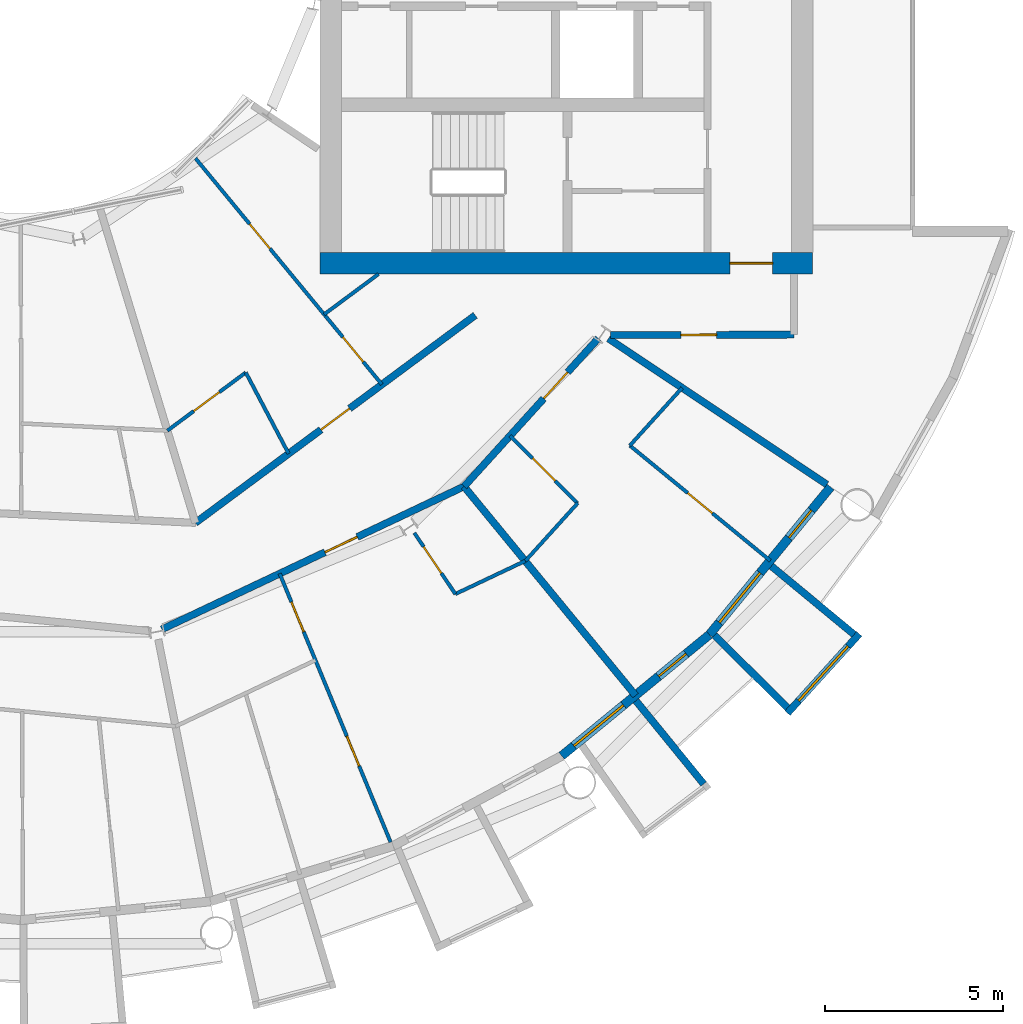
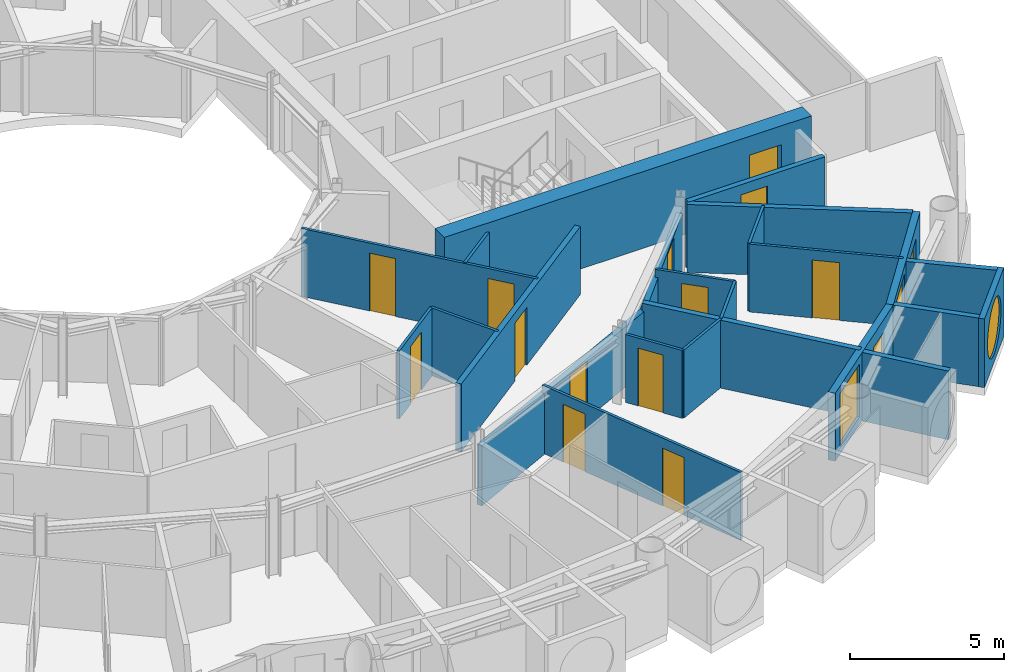
# One storey, part 17 of 27: 24 walls, 15 doors, 3 windows, 18 openings.
"""IFC4 building model written with IfcOpenShell, lengths in metres."""

from ifc_helpers import new_model, si_unit, direction, frame, frame_2d, origin, place, context, subcontext, project, spatial, rectangle, circle, extrude, material, layer, layer_set, type_object, element, fill, save


model = new_model("IFC4")

# Units and contexts
model_context = context("Model", 3, precision=1e-05, world=origin(), true_north=direction((0.0, 1.0)))
body_context = subcontext(model_context, "Body", "Model", "MODEL_VIEW")
ifc_project = project(units=[si_unit("LENGTHUNIT", "METRE"), si_unit("AREAUNIT", "SQUARE_METRE"), si_unit("VOLUMEUNIT", "CUBIC_METRE"), si_unit("PLANEANGLEUNIT", "RADIAN"), si_unit("MASSUNIT", "GRAM", prefix="KILO")], contexts=[model_context])

# Site, building, storey
site_placement = place(None, origin())
site = spatial("IfcSite", under=ifc_project, at=site_placement, CompositionType="ELEMENT")
building_placement = place(site_placement, origin())
building = spatial("IfcBuilding", under=site, at=building_placement, Name="Maasbend Ring Residences", CompositionType="ELEMENT")
storey_placement = place(building_placement, frame((0.0, 0.0, 111.64990234375)))
storey = spatial("IfcBuildingStorey", under=building, at=storey_placement, Name="L31", CompositionType="ELEMENT", Elevation=111.64990234375)

# Wall, opening, door
ifc_material_1 = material(Name="Concrete C60/75", Category="concrete")
ifc_layer_1 = layer(ifc_material_1, 0.60009765625)
ifc_layer_set_1 = layer_set([ifc_layer_1], Name="Concrete C60/75")
wall_type_1 = type_object("IfcWallType", Name="CORE WALL 600 C60/75", PredefinedType="SHEAR", material=ifc_layer_set_1)
wall_1_placement = place(storey_placement, frame((8.39990234375, -8.89990234375, 0.0), z_axis=(0.0, 0.0, 1.0), x_axis=(1.0, 0.0, 0.0)))
wall_1 = element("IfcWall", 1, at=wall_1_placement, inside=storey, type_object=wall_type_1, Name="L31 core E wall PS", PredefinedType="SHEAR", context=body_context, shape_type="SweptSolid", body=[
    extrude(rectangle(XDim=13.800048828125, YDim=0.60009765625, at=frame_2d((6.89990234375, 0.0))), origin(), (0.0, 0.0, 1.0), 3.050048828125),
])
opening_1_placement = place(wall_1_placement, frame((11.47509765625, 0.0, 0.0)))
opening_1 = element("IfcOpeningElement", 2, at=opening_1_placement, cuts=wall_1, Name="Opening D-E3115", PredefinedType="OPENING", context=body_context, shape_type="SweptSolid", body=[
    extrude(rectangle(XDim=1.199951171875, YDim=2.300048828125, at=frame_2d((0.60009765625, 1.14990234375))), frame((0.0, 0.31005859375, 0.0), z_axis=(0.0, -1.0, 0.0), x_axis=(1.0, 0.0, 0.0)), (0.0, 0.0, 1.0), 0.6201171875),
])
ifc_material_2 = material(Name="Steel, powder coated", Category="steel")
door_type_1 = type_object("IfcDoorType", Name="CORRIDOR DOOR 1200 X 2300 FD30S", OperationType="NOTDEFINED", PredefinedType="DOOR", material=ifc_material_2)
door_1_placement = place(opening_1_placement, origin())
door_1 = element("IfcDoor", 3, at=door_1_placement, inside=storey, type_object=door_type_1, Name="Corridor door L31", OperationType="SINGLE_SWING_LEFT", OverallHeight=2.300048828125, OverallWidth=1.199951171875, PredefinedType="DOOR", context=body_context, shape_type="SweptSolid", body=[
    extrude(rectangle(XDim=1.199951171875, YDim=2.300048828125, at=frame_2d((0.60009765625, 1.14990234375))), frame((0.0, 0.02490234375, 0.0), z_axis=(0.0, -1.0, 0.0), x_axis=(1.0, 0.0, 0.0)), (0.0, 0.0, 1.0), 0.050048828125),
])
fill(opening_1, door_1)

ifc_material_3 = material(Name="Concrete C30/37", Category="concrete")
ifc_layer_2 = layer(ifc_material_3, 0.199951171875)
ifc_layer_set_2 = layer_set([ifc_layer_2], Name="Concrete C30/37")
wall_type_2 = type_object("IfcWallType", Name="CORRIDOR WALL 200 CONCRETE", PredefinedType="PARTITIONING", material=ifc_layer_set_2)
wall_2_placement = place(storey_placement, frame((12.43408203125, -15.15087890625, 0.0), z_axis=(0.0, 0.0, 1.0), x_axis=(0.671481997275, 0.741020868354, 0.0)))
wall_2 = element("IfcWall", 4, at=wall_2_placement, inside=storey, type_object=wall_type_2, Name="U-L31-w011", PredefinedType="PARTITIONING", context=body_context, shape_type="SweptSolid", body=[
    extrude(rectangle(XDim=5.59619140625, YDim=0.199951171875, at=frame_2d((2.798095703125, 0.0))), origin(), (0.0, 0.0, 1.0), 2.39013671875),
])
opening_2_placement = place(wall_2_placement, frame((3.319091796875, 0.0, 0.0)))
opening_2 = element("IfcOpeningElement", 5, at=opening_2_placement, cuts=wall_2, Name="Opening D-3151", PredefinedType="OPENING", context=body_context, shape_type="SweptSolid", body=[
    extrude(rectangle(XDim=1.0, YDim=2.300048828125, at=frame_2d((0.5, 1.14990234375))), frame((0.0, 0.10986328125, 0.0), z_axis=(0.0, -1.0, 0.0), x_axis=(1.0, 0.0, 0.0)), (0.0, 0.0, 1.0), 0.219970703125),
])
ifc_material_4 = material(Name="Timber, fire-rated, painted", Category="wood")
door_type_2 = type_object("IfcDoorType", Name="FLAT ENTRANCE DOOR 1000 X 2300 FIRE-RATED", OperationType="NOTDEFINED", PredefinedType="DOOR", material=ifc_material_4)
door_2_placement = place(opening_2_placement, origin())
door_2 = element("IfcDoor", 6, at=door_2_placement, inside=storey, type_object=door_type_2, Name="D-3151", OperationType="SINGLE_SWING_RIGHT", OverallHeight=2.300048828125, OverallWidth=1.0, PredefinedType="DOOR", context=body_context, shape_type="SweptSolid", body=[
    extrude(rectangle(XDim=1.0, YDim=2.300048828125, at=frame_2d((0.5, 1.14990234375))), frame((0.0, 0.02490234375, 0.0), z_axis=(0.0, -1.0, 0.0), x_axis=(1.0, 0.0, 0.0)), (0.0, 0.0, 1.0), 0.050048828125),
])
fill(opening_2, door_2)

wall_3_placement = place(storey_placement, frame((3.967041015625, -19.155029296875, 0.0), z_axis=(0.0, 0.0, 1.0), x_axis=(0.904003983145, 0.427524032609, 0.0)))
wall_3 = element("IfcWall", 7, at=wall_3_placement, inside=storey, type_object=wall_type_2, Name="U-L31-w012", PredefinedType="PARTITIONING", context=body_context, shape_type="SweptSolid", body=[
    extrude(rectangle(XDim=9.370361328125, YDim=0.199951171875, at=frame_2d((4.68505859375, 0.0))), origin(), (0.0, 0.0, 1.0), 2.39013671875),
])
opening_3_placement = place(wall_3_placement, frame((5.055908203125, 0.0, 0.0)))
opening_3 = element("IfcOpeningElement", 8, at=opening_3_placement, cuts=wall_3, Name="Opening D-3146", PredefinedType="OPENING", context=body_context, shape_type="SweptSolid", body=[
    extrude(rectangle(XDim=1.0, YDim=2.300048828125, at=frame_2d((0.5, 1.14990234375))), frame((0.0, 0.10986328125, 0.0), z_axis=(0.0, -1.0, 0.0), x_axis=(1.0, 0.0, 0.0)), (0.0, 0.0, 1.0), 0.219970703125),
])
door_3_placement = place(opening_3_placement, origin())
door_3 = element("IfcDoor", 9, at=door_3_placement, inside=storey, type_object=door_type_2, Name="D-3146", OperationType="SINGLE_SWING_RIGHT", OverallHeight=2.300048828125, OverallWidth=1.0, PredefinedType="DOOR", context=body_context, shape_type="SweptSolid", body=[
    extrude(rectangle(XDim=1.0, YDim=2.300048828125, at=frame_2d((0.5, 1.14990234375))), frame((0.0, 0.02490234375, 0.0), z_axis=(0.0, -1.0, 0.0), x_axis=(1.0, 0.0, 0.0)), (0.0, 0.0, 1.0), 0.050048828125),
])
fill(opening_3, door_3)

wall_4_placement = place(storey_placement, frame((4.906005859375, -16.172119140625, 0.0), z_axis=(0.0, 0.0, 1.0), x_axis=(0.803191461888, 0.595720971219, 0.0)))
wall_4 = element("IfcWall", 10, at=wall_4_placement, inside=storey, type_object=wall_type_2, Name="U-L31-w017", PredefinedType="PARTITIONING", context=body_context, shape_type="SweptSolid", body=[
    extrude(rectangle(XDim=9.760009765625, YDim=0.199951171875, at=frame_2d((4.8798828125, 0.0))), origin(), (0.0, 0.0, 1.0), 2.7001953125),
])
opening_4_placement = place(wall_4_placement, frame((4.3798828125, 0.0, 0.0)))
opening_4 = element("IfcOpeningElement", 11, at=opening_4_placement, cuts=wall_4, Name="Opening D-3163", PredefinedType="OPENING", context=body_context, shape_type="SweptSolid", body=[
    extrude(rectangle(XDim=1.0, YDim=2.300048828125, at=frame_2d((0.5, 1.14990234375))), frame((0.0, 0.10986328125, 0.0), z_axis=(0.0, -1.0, 0.0), x_axis=(1.0, 0.0, 0.0)), (0.0, 0.0, 1.0), 0.219970703125),
])
door_4_placement = place(opening_4_placement, origin())
door_4 = element("IfcDoor", 12, at=door_4_placement, inside=storey, type_object=door_type_2, Name="D-3163", OperationType="SINGLE_SWING_LEFT", OverallHeight=2.300048828125, OverallWidth=1.0, PredefinedType="DOOR", context=body_context, shape_type="SweptSolid", body=[
    extrude(rectangle(XDim=1.0, YDim=2.300048828125, at=frame_2d((0.5, 1.14990234375))), frame((0.0, 0.02490234375, 0.0), z_axis=(0.0, -1.0, 0.0), x_axis=(1.0, 0.0, 0.0)), (0.0, 0.0, 1.0), 0.050048828125),
])
fill(opening_4, door_4)

wall_5_placement = place(storey_placement, frame((16.541015625, -10.912109375, 0.0), z_axis=(0.0, 0.0, 1.0), x_axis=(0.999997173357, 0.002377662213, 0.0)))
wall_5 = element("IfcWall", 13, at=wall_5_placement, inside=storey, type_object=wall_type_2, Name="U-L31-w025", PredefinedType="PARTITIONING", context=body_context, shape_type="SweptSolid", body=[
    extrude(rectangle(XDim=5.134033203125, YDim=0.199951171875, at=frame_2d((2.56689453125, 0.0))), origin(), (0.0, 0.0, 1.0), 2.7001953125),
])
opening_5_placement = place(wall_5_placement, frame((1.962890625, 0.0, 0.0)))
opening_5 = element("IfcOpeningElement", 14, at=opening_5_placement, cuts=wall_5, Name="Opening D-3169", PredefinedType="OPENING", context=body_context, shape_type="SweptSolid", body=[
    extrude(rectangle(XDim=1.0, YDim=2.300048828125, at=frame_2d((0.5, 1.14990234375))), frame((0.0, 0.10986328125, 0.0), z_axis=(0.0, -1.0, 0.0), x_axis=(1.0, 0.0, 0.0)), (0.0, 0.0, 1.0), 0.219970703125),
])
ifc_material_5 = material(Name="Timber, painted", Category="wood")
door_type_3 = type_object("IfcDoorType", Name="ROOM DOOR 1000 X 2300", OperationType="NOTDEFINED", PredefinedType="DOOR", material=ifc_material_5)
door_5_placement = place(opening_5_placement, origin())
door_5 = element("IfcDoor", 15, at=door_5_placement, inside=storey, type_object=door_type_3, Name="D-3169", OperationType="SINGLE_SWING_LEFT", OverallHeight=2.300048828125, OverallWidth=1.0, PredefinedType="DOOR", context=body_context, shape_type="SweptSolid", body=[
    extrude(rectangle(XDim=1.0, YDim=2.300048828125, at=frame_2d((0.5, 1.14990234375))), frame((0.0, 0.02490234375, 0.0), z_axis=(0.0, -1.0, 0.0), x_axis=(1.0, 0.0, 0.0)), (0.0, 0.0, 1.0), 0.050048828125),
])
fill(opening_5, door_5)

# Wall
ifc_material_6 = material(Name="Pale anodised aluminium panel", Category="aluminium")
ifc_layer_3 = layer(ifc_material_6, 0.199951171875)
ifc_layer_set_3 = layer_set([ifc_layer_3], Name="EW-BOX")
wall_type_3 = type_object("IfcWallType", Name="EW-BOX", PredefinedType="SOLIDWALL", material=ifc_layer_set_3)
wall_6_placement = place(storey_placement, frame((17.24609375, -21.155029296875, -0.02978515625), z_axis=(0.0, 0.0, 1.0), x_axis=(0.631741648902, -0.775179004516, 0.0)))
element("IfcWall", 16, at=wall_6_placement, inside=storey, type_object=wall_type_3, Name="Box side wall S17 right", PredefinedType="SOLIDWALL", context=body_context, shape_type="SweptSolid", body=[
    extrude(rectangle(XDim=3.005859375, YDim=0.199951171875, at=frame_2d((1.5029296875, 0.0))), origin(), (0.0, 0.0, 1.0), 2.72998046875),
])

# Wall, opening, window
wall_7_placement = place(storey_placement, frame((21.492919921875, -21.5, -0.02978515625), z_axis=(0.0, 0.0, 1.0), x_axis=(0.671506829416, 0.740998365753, 0.0)))
wall_7 = element("IfcWall", 17, at=wall_7_placement, inside=storey, type_object=wall_type_3, Name="Box front S19", PredefinedType="SOLIDWALL", context=body_context, shape_type="SweptSolid", body=[
    extrude(rectangle(XDim=2.9931640625, YDim=0.199951171875, at=frame_2d((1.49658203125, 0.0))), origin(), (0.0, 0.0, 1.0), 2.72998046875),
])
opening_6_placement = place(wall_7_placement, frame((0.45654296875, 0.0, 0.330078125)))
opening_6 = element("IfcOpeningElement", 18, at=opening_6_placement, cuts=wall_7, Name="Opening W-RD", PredefinedType="OPENING", context=body_context, shape_type="SweptSolid", body=[
    extrude(circle(Radius=1.0400390625, at=frame_2d((1.0400390625, 1.0400390625))), frame((0.0, 0.10986328125, 0.0), z_axis=(0.0, -1.0, 0.0), x_axis=(1.0, 0.0, 0.0)), (0.0, 0.0, 1.0), 0.219970703125),
])
ifc_material_7 = material(Name="Aluminium and clear glass", Category="aluminium")
window_type_1 = type_object("IfcWindowType", Name="W-RD", PartitioningType="SINGLE_PANEL", PredefinedType="WINDOW", material=ifc_material_7)
window_1_placement = place(opening_6_placement, origin())
window_1 = element("IfcWindow", 19, at=window_1_placement, inside=storey, type_object=window_type_1, Name="Round window S19", OverallHeight=2.080078125, OverallWidth=2.080078125, PartitioningType="SINGLE_PANEL", PredefinedType="WINDOW", context=body_context, shape_type="SweptSolid", body=[
    extrude(circle(Radius=1.0400390625, at=frame_2d((1.0400390625, 1.0400390625))), frame((0.0, 0.030029296875, 0.0), z_axis=(0.0, -1.0, 0.0), x_axis=(1.0, 0.0, 0.0)), (0.0, 0.0, 1.0), 0.06005859375),
])
fill(opening_6, window_1)

# Walls
wall_8_placement = place(storey_placement, frame((19.449951171875, -19.322998046875, -0.02978515625), z_axis=(0.0, 0.0, 1.0), x_axis=(0.709727076896, -0.704476739375, 0.0)))
element("IfcWall", 20, at=wall_8_placement, inside=storey, type_object=wall_type_3, Name="Box side wall S19 left", PredefinedType="SOLIDWALL", context=body_context, shape_type="SweptSolid", body=[
    extrude(rectangle(XDim=2.883056640625, YDim=0.199951171875, at=frame_2d((1.44140625, 0.0))), origin(), (0.0, 0.0, 1.0), 2.72998046875),
])
wall_9_placement = place(storey_placement, frame((21.041015625, -17.384033203125, -0.02978515625), z_axis=(0.0, 0.0, 1.0), x_axis=(0.770784861449, -0.63709551667, 0.0)))
element("IfcWall", 21, at=wall_9_placement, inside=storey, type_object=wall_type_3, Name="Box side wall S19 right", PredefinedType="SOLIDWALL", context=body_context, shape_type="SweptSolid", body=[
    extrude(rectangle(XDim=3.005859375, YDim=0.199951171875, at=frame_2d((1.5029296875, 0.0))), origin(), (0.0, 0.0, 1.0), 2.72998046875),
])

# Wall, openings, door, window
ifc_material_8 = material(Name="Aluminium clad insulated panel", Category="aluminium")
ifc_layer_4 = layer(ifc_material_8, 0.25)
ifc_layer_set_4 = layer_set([ifc_layer_4], Name="EW-GL")
wall_type_4 = type_object("IfcWallType", Name="EW-GL", PredefinedType="SOLIDWALL", material=ifc_layer_set_4)
wall_10_placement = place(storey_placement, frame((15.1669921875, -22.698974609375, 0.0), z_axis=(0.0, 0.0, 1.0), x_axis=(0.773019449054, 0.634382322723, 0.0)))
wall_10 = element("IfcWall", 22, at=wall_10_placement, inside=storey, type_object=wall_type_4, Name="External wall S09", PredefinedType="SOLIDWALL", context=body_context, shape_type="SweptSolid", body=[
    extrude(rectangle(XDim=5.351806640625, YDim=0.25, at=frame_2d((2.67578125, 0.0))), origin(), (0.0, 0.0, 1.0), 2.7001953125),
])
opening_7_placement = place(wall_10_placement, frame((0.441162109375, 0.0, 0.300048828125)))
opening_7 = element("IfcOpeningElement", 23, at=opening_7_placement, cuts=wall_10, Name="Opening W-BX", PredefinedType="OPENING", context=body_context, shape_type="SweptSolid", body=[
    extrude(rectangle(XDim=1.800048828125, YDim=2.10009765625, at=frame_2d((0.89990234375, 1.050048828125))), frame((0.0, 0.135009765625, 0.0), z_axis=(0.0, -1.0, 0.0), x_axis=(1.0, 0.0, 0.0)), (0.0, 0.0, 1.0), 0.27001953125),
])
opening_8_placement = place(wall_10_placement, frame((3.510498046875, 0.0, 0.0)))
opening_8 = element("IfcOpeningElement", 24, at=opening_8_placement, cuts=wall_10, Name="Opening D-LG", PredefinedType="OPENING", context=body_context, shape_type="SweptSolid", body=[
    extrude(rectangle(XDim=1.0, YDim=2.199951171875, at=frame_2d((0.5, 1.10009765625))), frame((0.0, 0.135009765625, 0.0), z_axis=(0.0, -1.0, 0.0), x_axis=(1.0, 0.0, 0.0)), (0.0, 0.0, 1.0), 0.27001953125),
])
ifc_material_9 = material(Name="Aluminium and clear glass", Category="aluminium")
door_type_4 = type_object("IfcDoorType", Name="D-LG", OperationType="SINGLE_SWING_LEFT", PredefinedType="DOOR", material=ifc_material_9)
door_6_placement = place(opening_8_placement, origin())
door_6 = element("IfcDoor", 25, at=door_6_placement, inside=storey, type_object=door_type_4, Name="Loggia door S18", OperationType="SINGLE_SWING_LEFT", OverallHeight=2.199951171875, OverallWidth=1.0, PredefinedType="DOOR", context=body_context, shape_type="SweptSolid", body=[
    extrude(rectangle(XDim=1.0, YDim=2.199951171875, at=frame_2d((0.5, 1.10009765625))), frame((0.0, 0.02490234375, 0.0), z_axis=(0.0, -1.0, 0.0), x_axis=(1.0, 0.0, 0.0)), (0.0, 0.0, 1.0), 0.050048828125),
])
fill(opening_8, door_6)
ifc_material_10 = material(Name="Aluminium and clear glass", Category="aluminium")
window_type_2 = type_object("IfcWindowType", Name="W-BX", PartitioningType="DOUBLE_PANEL_VERTICAL", PredefinedType="WINDOW", material=ifc_material_10)
window_2_placement = place(opening_7_placement, origin())
window_2 = element("IfcWindow", 26, at=window_2_placement, inside=storey, type_object=window_type_2, Name="Window S17 room to box", OverallHeight=2.10009765625, OverallWidth=1.800048828125, PartitioningType="SINGLE_PANEL", PredefinedType="WINDOW", context=body_context, shape_type="SweptSolid", body=[
    extrude(rectangle(XDim=1.800048828125, YDim=2.10009765625, at=frame_2d((0.89990234375, 1.050048828125))), frame((0.0, 0.030029296875, 0.0), z_axis=(0.0, -1.0, 0.0), x_axis=(1.0, 0.0, 0.0)), (0.0, 0.0, 1.0), 0.06005859375),
])
fill(opening_7, window_2)

wall_11_placement = place(storey_placement, frame((19.303955078125, -19.303955078125, 0.0), z_axis=(0.0, 0.0, 1.0), x_axis=(0.634382322723, 0.773019449054, 0.0)))
wall_11 = element("IfcWall", 27, at=wall_11_placement, inside=storey, type_object=wall_type_4, Name="External wall S10", PredefinedType="SOLIDWALL", context=body_context, shape_type="SweptSolid", body=[
    extrude(rectangle(XDim=5.351806640625, YDim=0.25, at=frame_2d((2.67578125, 0.0))), origin(), (0.0, 0.0, 1.0), 2.7001953125),
])
opening_9_placement = place(wall_11_placement, frame((0.441162109375, 0.0, 0.300048828125)))
opening_9 = element("IfcOpeningElement", 28, at=opening_9_placement, cuts=wall_11, Name="Opening W-BX", PredefinedType="OPENING", context=body_context, shape_type="SweptSolid", body=[
    extrude(rectangle(XDim=1.800048828125, YDim=2.10009765625, at=frame_2d((0.89990234375, 1.050048828125))), frame((0.0, 0.135009765625, 0.0), z_axis=(0.0, -1.0, 0.0), x_axis=(1.0, 0.0, 0.0)), (0.0, 0.0, 1.0), 0.27001953125),
])
opening_10_placement = place(wall_11_placement, frame((3.510498046875, 0.0, 0.0)))
opening_10 = element("IfcOpeningElement", 29, at=opening_10_placement, cuts=wall_11, Name="Opening D-LG", PredefinedType="OPENING", context=body_context, shape_type="SweptSolid", body=[
    extrude(rectangle(XDim=1.0, YDim=2.199951171875, at=frame_2d((0.5, 1.10009765625))), frame((0.0, 0.135009765625, 0.0), z_axis=(0.0, -1.0, 0.0), x_axis=(1.0, 0.0, 0.0)), (0.0, 0.0, 1.0), 0.27001953125),
])
door_7_placement = place(opening_10_placement, origin())
door_7 = element("IfcDoor", 30, at=door_7_placement, inside=storey, type_object=door_type_4, Name="Loggia door S20", OperationType="SINGLE_SWING_LEFT", OverallHeight=2.199951171875, OverallWidth=1.0, PredefinedType="DOOR", context=body_context, shape_type="SweptSolid", body=[
    extrude(rectangle(XDim=1.0, YDim=2.199951171875, at=frame_2d((0.5, 1.10009765625))), frame((0.0, 0.02490234375, 0.0), z_axis=(0.0, -1.0, 0.0), x_axis=(1.0, 0.0, 0.0)), (0.0, 0.0, 1.0), 0.050048828125),
])
fill(opening_10, door_7)
window_3_placement = place(opening_9_placement, origin())
window_3 = element("IfcWindow", 31, at=window_3_placement, inside=storey, type_object=window_type_2, Name="Window S19 room to box", OverallHeight=2.10009765625, OverallWidth=1.800048828125, PartitioningType="SINGLE_PANEL", PredefinedType="WINDOW", context=body_context, shape_type="SweptSolid", body=[
    extrude(rectangle(XDim=1.800048828125, YDim=2.10009765625, at=frame_2d((0.89990234375, 1.050048828125))), frame((0.0, 0.030029296875, 0.0), z_axis=(0.0, -1.0, 0.0), x_axis=(1.0, 0.0, 0.0)), (0.0, 0.0, 1.0), 0.06005859375),
])
fill(opening_9, window_3)

# Walls
ifc_material_11 = material(Name="Gypsum board on steel studs", Category="steel")
ifc_layer_5 = layer(ifc_material_11, 0.10009765625)
ifc_layer_set_5 = layer_set([ifc_layer_5], Name="PARTITION 100 GYPSUM")
wall_type_5 = type_object("IfcWallType", Name="PARTITION 100 GYPSUM", PredefinedType="PARTITIONING", material=ifc_layer_set_5)
wall_12_placement = place(storey_placement, frame((14.153076171875, -17.23388671875, 0.0), z_axis=(0.0, 0.0, 1.0), x_axis=(0.671144831591, 0.741326254107, 0.0)))
element("IfcWall", 32, at=wall_12_placement, inside=storey, type_object=wall_type_5, Name="U-L31-w001", PredefinedType="PARTITIONING", context=body_context, shape_type="SweptSolid", body=[
    extrude(rectangle(XDim=2.18115234375, YDim=0.10009765625, at=frame_2d((1.090576171875, 0.0))), origin(), (0.0, 0.0, 1.0), 2.7001953125),
])
wall_13_placement = place(storey_placement, frame((17.076904296875, -14.006103515625, 0.0), z_axis=(0.0, 0.0, 1.0), x_axis=(0.671396556615, 0.741098282123, 0.0)))
element("IfcWall", 33, at=wall_13_placement, inside=storey, type_object=wall_type_5, Name="U-L31-w002", PredefinedType="PARTITIONING", context=body_context, shape_type="SweptSolid", body=[
    extrude(rectangle(XDim=2.18212890625, YDim=0.10009765625, at=frame_2d((1.091064453125, 0.0))), origin(), (0.0, 0.0, 1.0), 2.7001953125),
])
wall_14_placement = place(storey_placement, frame((12.18798828125, -18.1650390625, 0.0), z_axis=(0.0, 0.0, 1.0), x_axis=(0.903905215872, 0.427732814639, 0.0)))
element("IfcWall", 34, at=wall_14_placement, inside=storey, type_object=wall_type_5, Name="U-L31-w006", PredefinedType="PARTITIONING", context=body_context, shape_type="SweptSolid", body=[
    extrude(rectangle(XDim=2.167236328125, YDim=0.10009765625, at=frame_2d((1.08349609375, 0.0))), origin(), (0.0, 0.0, 1.0), 2.7001953125),
])

# Wall, opening, door
wall_15_placement = place(storey_placement, frame((4.1220703125, -13.589111328125, 0.0), z_axis=(0.0, 0.0, 1.0), x_axis=(0.803128348509, 0.595806055542, 0.0)))
wall_15 = element("IfcWall", 35, at=wall_15_placement, inside=storey, type_object=wall_type_5, Name="U-L31-w022", PredefinedType="PARTITIONING", context=body_context, shape_type="SweptSolid", body=[
    extrude(rectangle(XDim=2.734375, YDim=0.10009765625, at=frame_2d((1.3671875, 0.0))), origin(), (0.0, 0.0, 1.0), 2.7001953125),
])
opening_11_placement = place(wall_15_placement, frame((0.9169921875, 0.0, 0.0)))
opening_11 = element("IfcOpeningElement", 36, at=opening_11_placement, cuts=wall_15, Name="Opening D-3164", PredefinedType="OPENING", context=body_context, shape_type="SweptSolid", body=[
    extrude(rectangle(XDim=0.89990234375, YDim=2.300048828125, at=frame_2d((0.449951171875, 1.14990234375))), frame((0.0, 0.06005859375, 0.0), z_axis=(0.0, -1.0, 0.0), x_axis=(1.0, 0.0, 0.0)), (0.0, 0.0, 1.0), 0.1201171875),
])
ifc_material_12 = material(Name="Timber, painted", Category="wood")
door_type_5 = type_object("IfcDoorType", Name="INTERNAL DOOR 900 X 2300", OperationType="NOTDEFINED", PredefinedType="DOOR", material=ifc_material_12)
door_8_placement = place(opening_11_placement, origin())
door_8 = element("IfcDoor", 37, at=door_8_placement, inside=storey, type_object=door_type_5, Name="D-3164", OperationType="SINGLE_SWING_RIGHT", OverallHeight=2.300048828125, OverallWidth=0.89990234375, PredefinedType="DOOR", context=body_context, shape_type="SweptSolid", body=[
    extrude(rectangle(XDim=0.89990234375, YDim=2.300048828125, at=frame_2d((0.449951171875, 1.14990234375))), frame((0.0, 0.02490234375, 0.0), z_axis=(0.0, -1.0, 0.0), x_axis=(1.0, 0.0, 0.0)), (0.0, 0.0, 1.0), 0.050048828125),
])
fill(opening_11, door_8)

# Wall
wall_16_placement = place(storey_placement, frame((8.512939453125, -10.33203125, 0.0), z_axis=(0.0, 0.0, 1.0), x_axis=(0.803149591038, 0.595777420196, 0.0)))
element("IfcWall", 38, at=wall_16_placement, inside=storey, type_object=wall_type_5, Name="U-L31-w023", PredefinedType="PARTITIONING", context=body_context, shape_type="SweptSolid", body=[
    extrude(rectangle(XDim=1.900146484375, YDim=0.10009765625, at=frame_2d((0.9501953125, 0.0))), origin(), (0.0, 0.0, 1.0), 2.7001953125),
])

# Wall, openings, doors
wall_17_placement = place(storey_placement, frame((4.907958984375, -5.958984375, 0.0), z_axis=(0.0, 0.0, 1.0), x_axis=(0.636105207978, -0.771602335652, 0.0)))
wall_17 = element("IfcWall", 39, at=wall_17_placement, inside=storey, type_object=wall_type_5, Name="U-L31-w068", PredefinedType="PARTITIONING", context=body_context, shape_type="SweptSolid", body=[
    extrude(rectangle(XDim=8.212646484375, YDim=0.10009765625, at=frame_2d((4.1064453125, 0.0))), origin(), (0.0, 0.0, 1.0), 2.7001953125),
])
opening_12_placement = place(wall_17_placement, frame((6.489990234375, 0.0, 0.0)))
opening_12 = element("IfcOpeningElement", 40, at=opening_12_placement, cuts=wall_17, Name="Opening D-3165", PredefinedType="OPENING", context=body_context, shape_type="SweptSolid", body=[
    extrude(rectangle(XDim=0.89990234375, YDim=2.300048828125, at=frame_2d((0.449951171875, 1.14990234375))), frame((0.0, 0.06005859375, 0.0), z_axis=(0.0, -1.0, 0.0), x_axis=(1.0, 0.0, 0.0)), (0.0, 0.0, 1.0), 0.1201171875),
])
opening_13_placement = place(wall_17_placement, frame((2.384033203125, 0.0, 0.0)))
opening_13 = element("IfcOpeningElement", 41, at=opening_13_placement, cuts=wall_17, Name="Opening D-3166", PredefinedType="OPENING", context=body_context, shape_type="SweptSolid", body=[
    extrude(rectangle(XDim=0.89990234375, YDim=2.300048828125, at=frame_2d((0.449951171875, 1.14990234375))), frame((0.0, 0.06005859375, 0.0), z_axis=(0.0, -1.0, 0.0), x_axis=(1.0, 0.0, 0.0)), (0.0, 0.0, 1.0), 0.1201171875),
])
door_9_placement = place(opening_12_placement, origin())
door_9 = element("IfcDoor", 42, at=door_9_placement, inside=storey, type_object=door_type_5, Name="D-3165", OperationType="SINGLE_SWING_RIGHT", OverallHeight=2.300048828125, OverallWidth=0.89990234375, PredefinedType="DOOR", context=body_context, shape_type="SweptSolid", body=[
    extrude(rectangle(XDim=0.89990234375, YDim=2.300048828125, at=frame_2d((0.449951171875, 1.14990234375))), frame((0.0, 0.02490234375, 0.0), z_axis=(0.0, -1.0, 0.0), x_axis=(1.0, 0.0, 0.0)), (0.0, 0.0, 1.0), 0.050048828125),
])
fill(opening_12, door_9)
door_10_placement = place(opening_13_placement, origin())
door_10 = element("IfcDoor", 43, at=door_10_placement, inside=storey, type_object=door_type_5, Name="D-3166", OperationType="SINGLE_SWING_LEFT", OverallHeight=2.300048828125, OverallWidth=0.89990234375, PredefinedType="DOOR", context=body_context, shape_type="SweptSolid", body=[
    extrude(rectangle(XDim=0.89990234375, YDim=2.300048828125, at=frame_2d((0.449951171875, 1.14990234375))), frame((0.0, 0.02490234375, 0.0), z_axis=(0.0, -1.0, 0.0), x_axis=(1.0, 0.0, 0.0)), (0.0, 0.0, 1.0), 0.050048828125),
])
fill(opening_13, door_10)

# Wall
wall_18_placement = place(storey_placement, frame((6.318115234375, -11.9599609375, 0.0), z_axis=(0.0, 0.0, 1.0), x_axis=(0.467001992543, -0.884256263173, 0.0)))
element("IfcWall", 44, at=wall_18_placement, inside=storey, type_object=wall_type_5, Name="U-L31-w071", PredefinedType="PARTITIONING", context=body_context, shape_type="SweptSolid", body=[
    extrude(rectangle(XDim=2.571533203125, YDim=0.10009765625, at=frame_2d((1.28564453125, 0.0))), origin(), (0.0, 0.0, 1.0), 2.7001953125),
])

# Wall, openings, doors
wall_19_placement = place(storey_placement, frame((7.26806640625, -17.593994140625, 0.0), z_axis=(0.0, 0.0, 1.0), x_axis=(0.381763497026, -0.924260045841, 0.0)))
wall_19 = element("IfcWall", 45, at=wall_19_placement, inside=storey, type_object=wall_type_5, Name="U-L31-w074", PredefinedType="PARTITIONING", context=body_context, shape_type="SweptSolid", body=[
    extrude(rectangle(XDim=8.138427734375, YDim=0.10009765625, at=frame_2d((4.0693359375, 0.0))), origin(), (0.0, 0.0, 1.0), 2.7001953125),
])
opening_14_placement = place(wall_19_placement, frame((0.861083984375, 0.0, 0.0)))
opening_14 = element("IfcOpeningElement", 46, at=opening_14_placement, cuts=wall_19, Name="Opening D-3148", PredefinedType="OPENING", context=body_context, shape_type="SweptSolid", body=[
    extrude(rectangle(XDim=0.89990234375, YDim=2.300048828125, at=frame_2d((0.449951171875, 1.14990234375))), frame((0.0, 0.06005859375, 0.0), z_axis=(0.0, -1.0, 0.0), x_axis=(1.0, 0.0, 0.0)), (0.0, 0.0, 1.0), 0.1201171875),
])
opening_15_placement = place(wall_19_placement, frame((4.929931640625, 0.0, 0.0)))
opening_15 = element("IfcOpeningElement", 47, at=opening_15_placement, cuts=wall_19, Name="Opening D-3149", PredefinedType="OPENING", context=body_context, shape_type="SweptSolid", body=[
    extrude(rectangle(XDim=0.89990234375, YDim=2.300048828125, at=frame_2d((0.449951171875, 1.14990234375))), frame((0.0, 0.06005859375, 0.0), z_axis=(0.0, -1.0, 0.0), x_axis=(1.0, 0.0, 0.0)), (0.0, 0.0, 1.0), 0.1201171875),
])
door_11_placement = place(opening_14_placement, origin())
door_11 = element("IfcDoor", 48, at=door_11_placement, inside=storey, type_object=door_type_5, Name="D-3148", OperationType="SINGLE_SWING_LEFT", OverallHeight=2.300048828125, OverallWidth=0.89990234375, PredefinedType="DOOR", context=body_context, shape_type="SweptSolid", body=[
    extrude(rectangle(XDim=0.89990234375, YDim=2.300048828125, at=frame_2d((0.449951171875, 1.14990234375))), frame((0.0, 0.02490234375, 0.0), z_axis=(0.0, -1.0, 0.0), x_axis=(1.0, 0.0, 0.0)), (0.0, 0.0, 1.0), 0.050048828125),
])
fill(opening_14, door_11)
door_12_placement = place(opening_15_placement, origin())
door_12 = element("IfcDoor", 49, at=door_12_placement, inside=storey, type_object=door_type_5, Name="D-3149", OperationType="SINGLE_SWING_RIGHT", OverallHeight=2.300048828125, OverallWidth=0.89990234375, PredefinedType="DOOR", context=body_context, shape_type="SweptSolid", body=[
    extrude(rectangle(XDim=0.89990234375, YDim=2.300048828125, at=frame_2d((0.449951171875, 1.14990234375))), frame((0.0, 0.02490234375, 0.0), z_axis=(0.0, -1.0, 0.0), x_axis=(1.0, 0.0, 0.0)), (0.0, 0.0, 1.0), 0.050048828125),
])
fill(opening_15, door_12)

# Wall, opening, door
wall_20_placement = place(storey_placement, frame((11.041015625, -16.455078125, 0.0), z_axis=(0.0, 0.0, 1.0), x_axis=(0.557051175603, -0.830478168141, 0.0)))
wall_20 = element("IfcWall", 50, at=wall_20_placement, inside=storey, type_object=wall_type_5, Name="U-L31-w077", PredefinedType="PARTITIONING", context=body_context, shape_type="SweptSolid", body=[
    extrude(rectangle(XDim=2.05908203125, YDim=0.10009765625, at=frame_2d((1.029541015625, 0.0))), origin(), (0.0, 0.0, 1.0), 2.7001953125),
])
opening_16_placement = place(wall_20_placement, frame((0.4599609375, 0.0, 0.0)))
opening_16 = element("IfcOpeningElement", 51, at=opening_16_placement, cuts=wall_20, Name="Opening D-3147", PredefinedType="OPENING", context=body_context, shape_type="SweptSolid", body=[
    extrude(rectangle(XDim=0.89990234375, YDim=2.300048828125, at=frame_2d((0.449951171875, 1.14990234375))), frame((0.0, 0.06005859375, 0.0), z_axis=(0.0, -1.0, 0.0), x_axis=(1.0, 0.0, 0.0)), (0.0, 0.0, 1.0), 0.1201171875),
])
door_13_placement = place(opening_16_placement, origin())
door_13 = element("IfcDoor", 52, at=door_13_placement, inside=storey, type_object=door_type_5, Name="D-3147", OperationType="SINGLE_SWING_LEFT", OverallHeight=2.300048828125, OverallWidth=0.89990234375, PredefinedType="DOOR", context=body_context, shape_type="SweptSolid", body=[
    extrude(rectangle(XDim=0.89990234375, YDim=2.300048828125, at=frame_2d((0.449951171875, 1.14990234375))), frame((0.0, 0.02490234375, 0.0), z_axis=(0.0, -1.0, 0.0), x_axis=(1.0, 0.0, 0.0)), (0.0, 0.0, 1.0), 0.050048828125),
])
fill(opening_16, door_13)

wall_21_placement = place(storey_placement, frame((13.721923828125, -13.72998046875, 0.0), z_axis=(0.0, 0.0, 1.0), x_axis=(0.706741540154, -0.707471833659, 0.0)))
wall_21 = element("IfcWall", 53, at=wall_21_placement, inside=storey, type_object=wall_type_5, Name="U-L31-w081", PredefinedType="PARTITIONING", context=body_context, shape_type="SweptSolid", body=[
    extrude(rectangle(XDim=2.67431640625, YDim=0.10009765625, at=frame_2d((1.337158203125, 0.0))), origin(), (0.0, 0.0, 1.0), 2.7001953125),
])
opening_17_placement = place(wall_21_placement, frame((0.886962890625, 0.0, 0.0)))
opening_17 = element("IfcOpeningElement", 54, at=opening_17_placement, cuts=wall_21, Name="Opening D-3152", PredefinedType="OPENING", context=body_context, shape_type="SweptSolid", body=[
    extrude(rectangle(XDim=0.89990234375, YDim=2.300048828125, at=frame_2d((0.449951171875, 1.14990234375))), frame((0.0, 0.06005859375, 0.0), z_axis=(0.0, -1.0, 0.0), x_axis=(1.0, 0.0, 0.0)), (0.0, 0.0, 1.0), 0.1201171875),
])
door_14_placement = place(opening_17_placement, origin())
door_14 = element("IfcDoor", 55, at=door_14_placement, inside=storey, type_object=door_type_5, Name="D-3152", OperationType="SINGLE_SWING_RIGHT", OverallHeight=2.300048828125, OverallWidth=0.89990234375, PredefinedType="DOOR", context=body_context, shape_type="SweptSolid", body=[
    extrude(rectangle(XDim=0.89990234375, YDim=2.300048828125, at=frame_2d((0.449951171875, 1.14990234375))), frame((0.0, 0.02490234375, 0.0), z_axis=(0.0, -1.0, 0.0), x_axis=(1.0, 0.0, 0.0)), (0.0, 0.0, 1.0), 0.050048828125),
])
fill(opening_17, door_14)

wall_22_placement = place(storey_placement, frame((17.076904296875, -14.006103515625, 0.0), z_axis=(0.0, 0.0, 1.0), x_axis=(0.77326214499, -0.634086472908, 0.0)))
wall_22 = element("IfcWall", 56, at=wall_22_placement, inside=storey, type_object=wall_type_5, Name="U-L31-w085", PredefinedType="PARTITIONING", context=body_context, shape_type="SweptSolid", body=[
    extrude(rectangle(XDim=5.0888671875, YDim=0.10009765625, at=frame_2d((2.54443359375, 0.0))), origin(), (0.0, 0.0, 1.0), 2.7001953125),
])
opening_18_placement = place(wall_22_placement, frame((2.093994140625, 0.0, 0.0)))
opening_18 = element("IfcOpeningElement", 57, at=opening_18_placement, cuts=wall_22, Name="Opening D-3153", PredefinedType="OPENING", context=body_context, shape_type="SweptSolid", body=[
    extrude(rectangle(XDim=0.89990234375, YDim=2.300048828125, at=frame_2d((0.449951171875, 1.14990234375))), frame((0.0, 0.06005859375, 0.0), z_axis=(0.0, -1.0, 0.0), x_axis=(1.0, 0.0, 0.0)), (0.0, 0.0, 1.0), 0.1201171875),
])
door_15_placement = place(opening_18_placement, origin())
door_15 = element("IfcDoor", 58, at=door_15_placement, inside=storey, type_object=door_type_5, Name="D-3153", OperationType="SINGLE_SWING_LEFT", OverallHeight=2.300048828125, OverallWidth=0.89990234375, PredefinedType="DOOR", context=body_context, shape_type="SweptSolid", body=[
    extrude(rectangle(XDim=0.89990234375, YDim=2.300048828125, at=frame_2d((0.449951171875, 1.14990234375))), frame((0.0, 0.02490234375, 0.0), z_axis=(0.0, -1.0, 0.0), x_axis=(1.0, 0.0, 0.0)), (0.0, 0.0, 1.0), 0.050048828125),
])
fill(opening_18, door_15)

# Walls
ifc_material_13 = material(Name="Concrete C30/37", Category="concrete")
ifc_layer_6 = layer(ifc_material_13, 0.199951171875)
ifc_layer_set_6 = layer_set([ifc_layer_6], Name="Concrete C30/37")
wall_type_6 = type_object("IfcWallType", Name="PARTY WALL 200 CONCRETE", PredefinedType="PARTITIONING", material=ifc_layer_set_6)
wall_23_placement = place(storey_placement, frame((12.431884765625, -15.152099609375, 0.0), z_axis=(0.0, 0.0, 1.0), x_axis=(0.634353152115, -0.77304338714, 0.0)))
element("IfcWall", 59, at=wall_23_placement, inside=storey, type_object=wall_type_6, Name="U-L31-w080", PredefinedType="PARTITIONING", context=body_context, shape_type="SweptSolid", body=[
    extrude(rectangle(XDim=7.576416015625, YDim=0.199951171875, at=frame_2d((3.7880859375, 0.0))), origin(), (0.0, 0.0, 1.0), 2.7001953125),
])
wall_24_placement = place(storey_placement, frame((16.47705078125, -11.009033203125, 0.0), z_axis=(0.0, 0.0, 1.0), x_axis=(0.831467903109, -0.555572791, 0.0)))
element("IfcWall", 60, at=wall_24_placement, inside=storey, type_object=wall_type_6, Name="U-L31-w083", PredefinedType="PARTITIONING", context=body_context, shape_type="SweptSolid", body=[
    extrude(rectangle(XDim=7.35791015625, YDim=0.199951171875, at=frame_2d((3.678955078125, 0.0))), origin(), (0.0, 0.0, 1.0), 2.7001953125),
])

save(model, "model.ifc")
